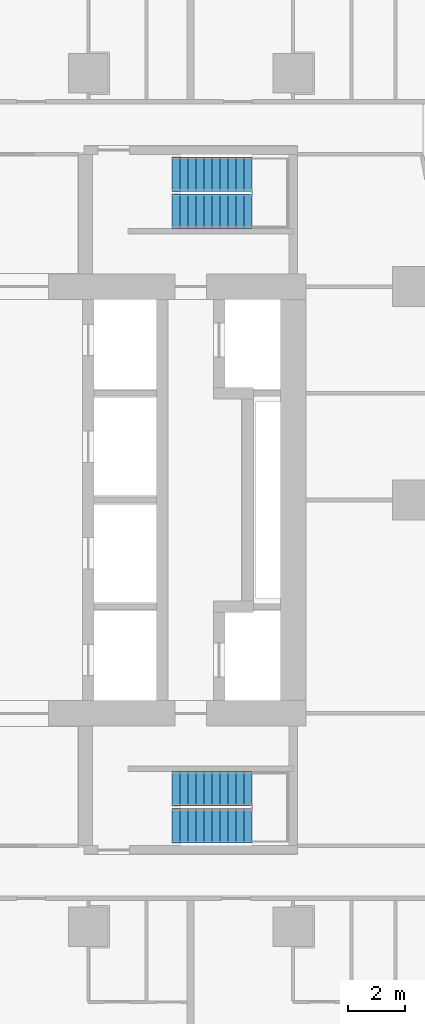
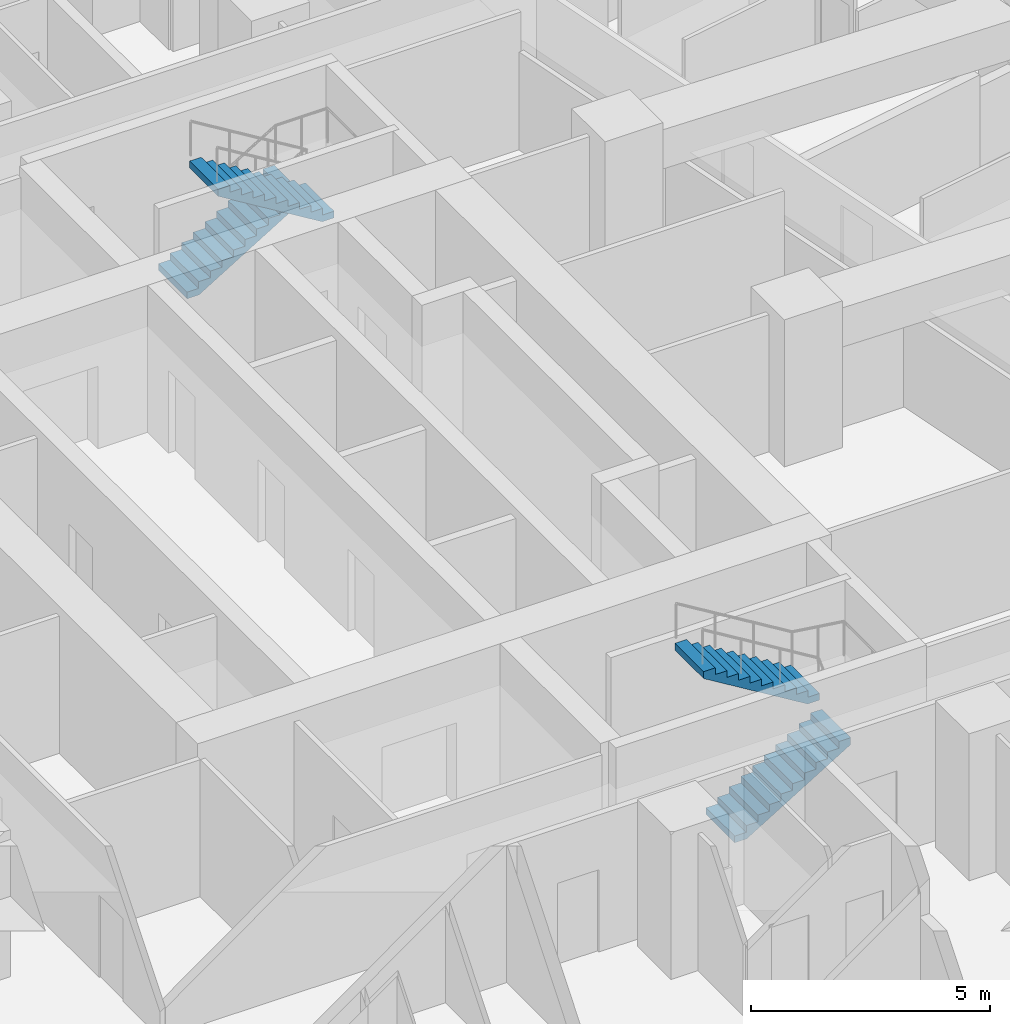
# One storey, part 16 of 17: 4 stair flights, 2 elements without a shape of their own.
"""IFC4 building model written with IfcOpenShell, lengths in metres."""

from ifc_helpers import new_model, si_unit, direction, frame, origin, place, context, subcontext, project, spatial, triangles, material, type_object, element, aggregate, save


model = new_model("IFC4")

# Units and contexts
model_context = context("Model", 3, precision=1e-05, world=origin(), true_north=direction((0.0, 1.0)))
body_context = subcontext(model_context, "Body", "Model", "MODEL_VIEW")
ifc_project = project(units=[si_unit("LENGTHUNIT", "METRE"), si_unit("AREAUNIT", "SQUARE_METRE"), si_unit("VOLUMEUNIT", "CUBIC_METRE"), si_unit("PLANEANGLEUNIT", "RADIAN"), si_unit("MASSUNIT", "GRAM", prefix="KILO")], contexts=[model_context])

# Site, building, storey
site_placement = place(None, origin())
site = spatial("IfcSite", under=ifc_project, at=site_placement, CompositionType="ELEMENT")
building_placement = place(site_placement, origin())
building = spatial("IfcBuilding", under=site, at=building_placement, Name="Sheger Commons Tower", CompositionType="ELEMENT")
storey_placement = place(building_placement, frame((0.0, 0.0, 204.949951171875)))
storey = spatial("IfcBuildingStorey", under=building, at=storey_placement, Name="L52", CompositionType="ELEMENT", Elevation=204.949951171875)

# Stair, stair flights
ifc_material_1 = material(Name="Concrete C35/45", Category="concrete")
stair_type = type_object("IfcStairType", Name="HALF-TURN STAIR 1200 RISE 3750", PredefinedType="HALF_TURN_STAIR", material=ifc_material_1)
stair_1_placement = place(storey_placement, origin())
stair_1 = element("IfcStair", 1, at=stair_1_placement, inside=storey, type_object=stair_type, Name="Stair S1 L52", PredefinedType="HALF_TURN_STAIR")
ifc_material_2 = material(Name="Concrete C35/45", Category="concrete")
stair_flight_type = type_object("IfcStairFlightType", Name="STAIR FLIGHT 1200 11 RISERS OF 170", PredefinedType="STRAIGHT", material=ifc_material_2)
stair_flight_1_placement = place(storey_placement, frame((24.550048828125, 11.050048828125, 0.0), z_axis=(0.0, 0.0, 1.0), x_axis=(1.0, 0.0, 0.0)))
stair_flight_1 = element("IfcStairFlight", 2, at=stair_flight_1_placement, type_object=stair_flight_type, Name="S1 flight 1", NumberOfRisers=11, NumberOfTreads=10, PredefinedType="STRAIGHT", RiserHeight=0.170454545, TreadLength=0.28, context=body_context, shape_type="Tessellation", body=[
    triangles([(0.0, 0.5999755859375, 0.0), (0.0, 0.5999755859375, 0.17041015625), (0.280029296875, 0.5999755859375, 0.17041015625), (0.280029296875, 0.5999755859375, 0.3408203125), (0.56005859375, 0.5999755859375, 0.3408203125), (0.56005859375, 0.5999755859375, 0.511474609375), (0.840087890625, 0.5999755859375, 0.511474609375), (0.840087890625, 0.5999755859375, 0.681884765625), (1.1201171875, 0.5999755859375, 0.681884765625), (1.1201171875, 0.5999755859375, 0.852294921875), (1.39990234375, 0.5999755859375, 0.852294921875), (1.39990234375, 0.5999755859375, 1.022705078125), (1.679931640625, 0.5999755859375, 1.022705078125), (1.679931640625, 0.5999755859375, 1.193115234375), (1.9599609375, 0.5999755859375, 1.193115234375), (1.9599609375, 0.5999755859375, 1.363525390625), (2.239990234375, 0.5999755859375, 1.363525390625), (2.239990234375, 0.5999755859375, 1.5341796875), (2.52001953125, 0.5999755859375, 1.5341796875), (2.52001953125, 0.5999755859375, 1.70458984375), (2.800048828125, 0.5999755859375, 1.70458984375), (2.800048828125, 0.5999755859375, 1.529052734375), (0.288330078125, 0.5999755859375, 0.0), (0.0, -0.5999755859375, 0.0), (0.0, -0.5999755859375, 0.17041015625), (0.280029296875, -0.5999755859375, 0.17041015625), (0.280029296875, -0.5999755859375, 0.3408203125), (0.56005859375, -0.5999755859375, 0.3408203125), (0.56005859375, -0.5999755859375, 0.511474609375), (0.840087890625, -0.5999755859375, 0.511474609375), (0.840087890625, -0.5999755859375, 0.681884765625), (1.1201171875, -0.5999755859375, 0.681884765625), (1.1201171875, -0.5999755859375, 0.852294921875), (1.39990234375, -0.5999755859375, 0.852294921875), (1.39990234375, -0.5999755859375, 1.022705078125), (1.679931640625, -0.5999755859375, 1.022705078125), (1.679931640625, -0.5999755859375, 1.193115234375), (1.9599609375, -0.5999755859375, 1.193115234375), (1.9599609375, -0.5999755859375, 1.363525390625), (2.239990234375, -0.5999755859375, 1.363525390625), (2.239990234375, -0.5999755859375, 1.5341796875), (2.52001953125, -0.5999755859375, 1.5341796875), (2.52001953125, -0.5999755859375, 1.70458984375), (2.800048828125, -0.5999755859375, 1.70458984375), (2.800048828125, -0.5999755859375, 1.529052734375), (0.288330078125, -0.5999755859375, 0.0), (0.0, 0.0, 0.085205078125), (0.1400146484375, 0.0, 0.17041015625), (0.280029296875, 0.0, 0.255615234375), (0.4200439453125, 0.0, 0.3408203125), (0.56005859375, 0.0, 0.4261474609375), (0.7000732421875, 0.0, 0.511474609375), (0.840087890625, 0.0, 0.5966796875), (0.9801025390625, 0.0, 0.681884765625), (1.1201171875, 0.0, 0.76708984375), (1.260009765625, 0.0, 0.852294921875), (1.39990234375, 0.0, 0.9375), (1.5399169921875, 0.0, 1.022705078125), (1.679931640625, 0.0, 1.10791015625), (1.8199462890625, 0.0, 1.193115234375), (1.9599609375, 0.0, 1.2783203125), (2.0999755859375, 0.0, 1.363525390625), (2.239990234375, 0.0, 1.4488525390625), (2.3800048828125, 0.0, 1.5341796875), (2.52001953125, 0.0, 1.619384765625), (2.6600341796875, 0.0, 1.70458984375), (2.800048828125, 0.0, 1.6168212890625), (1.544189453125, 0.0, 0.7645263671875), (0.1441650390625, 0.0, 0.0)], [[1, 22, 23], [24, 46, 45], [22, 20, 21], [45, 44, 43], [22, 19, 20], [45, 43, 42], [22, 18, 19], [45, 42, 41], [22, 17, 18], [45, 41, 40], [17, 15, 16], [40, 39, 38], [22, 15, 17], [45, 40, 38], [15, 13, 14], [38, 37, 36], [22, 13, 15], [45, 38, 36], [13, 11, 12], [36, 35, 34], [22, 11, 13], [45, 36, 34], [11, 9, 10], [34, 33, 32], [22, 9, 11], [45, 34, 32], [9, 7, 8], [32, 31, 30], [22, 7, 9], [45, 32, 30], [7, 5, 6], [30, 29, 28], [22, 5, 7], [45, 30, 28], [5, 3, 4], [28, 27, 26], [22, 3, 5], [45, 28, 26], [1, 3, 22], [24, 45, 26], [3, 1, 2], [26, 25, 24], [1, 47, 2], [2, 47, 25], [25, 47, 24], [24, 47, 1], [2, 48, 3], [3, 48, 26], [26, 48, 25], [25, 48, 2], [3, 49, 4], [4, 49, 27], [27, 49, 26], [26, 49, 3], [4, 50, 5], [5, 50, 28], [28, 50, 27], [27, 50, 4], [5, 51, 6], [6, 51, 29], [29, 51, 28], [28, 51, 5], [6, 52, 7], [7, 52, 30], [30, 52, 29], [29, 52, 6], [7, 53, 8], [8, 53, 31], [31, 53, 30], [30, 53, 7], [8, 54, 9], [9, 54, 32], [32, 54, 31], [31, 54, 8], [9, 55, 10], [10, 55, 33], [33, 55, 32], [32, 55, 9], [10, 56, 11], [11, 56, 34], [34, 56, 33], [33, 56, 10], [11, 57, 12], [12, 57, 35], [35, 57, 34], [34, 57, 11], [12, 58, 13], [13, 58, 36], [36, 58, 35], [35, 58, 12], [13, 59, 14], [14, 59, 37], [37, 59, 36], [36, 59, 13], [14, 60, 15], [15, 60, 38], [38, 60, 37], [37, 60, 14], [15, 61, 16], [16, 61, 39], [39, 61, 38], [38, 61, 15], [16, 62, 17], [17, 62, 40], [40, 62, 39], [39, 62, 16], [17, 63, 18], [18, 63, 41], [41, 63, 40], [40, 63, 17], [18, 64, 19], [19, 64, 42], [42, 64, 41], [41, 64, 18], [19, 65, 20], [20, 65, 43], [43, 65, 42], [42, 65, 19], [20, 66, 21], [21, 66, 44], [44, 66, 43], [43, 66, 20], [21, 67, 22], [22, 67, 45], [45, 67, 44], [44, 67, 21], [22, 68, 23], [23, 68, 46], [46, 68, 45], [45, 68, 22], [23, 69, 1], [1, 69, 24], [24, 69, 46], [46, 69, 23]], closed=True),
])
stair_flight_2_placement = place(storey_placement, frame((27.35009765625, 12.35009765625, 1.875), z_axis=(0.0, 0.0, 1.0), x_axis=(-1.0, 0.0, 0.0)))
stair_flight_2 = element("IfcStairFlight", 3, at=stair_flight_2_placement, type_object=stair_flight_type, Name="S1 flight 2", NumberOfRisers=11, NumberOfTreads=10, PredefinedType="STRAIGHT", RiserHeight=0.170454545, TreadLength=0.28, context=body_context, shape_type="Tessellation", body=[
    triangles([(0.0, 0.5999755859375, 0.0), (0.0, 0.5999755859375, 0.17041015625), (0.280029296875, 0.5999755859375, 0.17041015625), (0.280029296875, 0.5999755859375, 0.3408203125), (0.56005859375, 0.5999755859375, 0.3408203125), (0.56005859375, 0.5999755859375, 0.511474609375), (0.840087890625, 0.5999755859375, 0.511474609375), (0.840087890625, 0.5999755859375, 0.681884765625), (1.1201171875, 0.5999755859375, 0.681884765625), (1.1201171875, 0.5999755859375, 0.852294921875), (1.39990234375, 0.5999755859375, 0.852294921875), (1.39990234375, 0.5999755859375, 1.022705078125), (1.679931640625, 0.5999755859375, 1.022705078125), (1.679931640625, 0.5999755859375, 1.193115234375), (1.9599609375, 0.5999755859375, 1.193115234375), (1.9599609375, 0.5999755859375, 1.363525390625), (2.239990234375, 0.5999755859375, 1.363525390625), (2.239990234375, 0.5999755859375, 1.5341796875), (2.52001953125, 0.5999755859375, 1.5341796875), (2.52001953125, 0.5999755859375, 1.70458984375), (2.800048828125, 0.5999755859375, 1.70458984375), (2.800048828125, 0.5999755859375, 1.529052734375), (0.288330078125, 0.5999755859375, 0.0), (0.0, -0.5999755859375, 0.0), (0.0, -0.5999755859375, 0.17041015625), (0.280029296875, -0.5999755859375, 0.17041015625), (0.280029296875, -0.5999755859375, 0.3408203125), (0.56005859375, -0.5999755859375, 0.3408203125), (0.56005859375, -0.5999755859375, 0.511474609375), (0.840087890625, -0.5999755859375, 0.511474609375), (0.840087890625, -0.5999755859375, 0.681884765625), (1.1201171875, -0.5999755859375, 0.681884765625), (1.1201171875, -0.5999755859375, 0.852294921875), (1.39990234375, -0.5999755859375, 0.852294921875), (1.39990234375, -0.5999755859375, 1.022705078125), (1.679931640625, -0.5999755859375, 1.022705078125), (1.679931640625, -0.5999755859375, 1.193115234375), (1.9599609375, -0.5999755859375, 1.193115234375), (1.9599609375, -0.5999755859375, 1.363525390625), (2.239990234375, -0.5999755859375, 1.363525390625), (2.239990234375, -0.5999755859375, 1.5341796875), (2.52001953125, -0.5999755859375, 1.5341796875), (2.52001953125, -0.5999755859375, 1.70458984375), (2.800048828125, -0.5999755859375, 1.70458984375), (2.800048828125, -0.5999755859375, 1.529052734375), (0.288330078125, -0.5999755859375, 0.0), (0.0, 0.0, 0.085205078125), (0.1400146484375, 0.0, 0.17041015625), (0.280029296875, 0.0, 0.255615234375), (0.4200439453125, 0.0, 0.3408203125), (0.56005859375, 0.0, 0.4261474609375), (0.7000732421875, 0.0, 0.511474609375), (0.840087890625, 0.0, 0.5966796875), (0.9801025390625, 0.0, 0.681884765625), (1.1201171875, 0.0, 0.76708984375), (1.260009765625, 0.0, 0.852294921875), (1.39990234375, 0.0, 0.9375), (1.5399169921875, 0.0, 1.022705078125), (1.679931640625, 0.0, 1.10791015625), (1.8199462890625, 0.0, 1.193115234375), (1.9599609375, 0.0, 1.2783203125), (2.0999755859375, 0.0, 1.363525390625), (2.239990234375, 0.0, 1.4488525390625), (2.3800048828125, 0.0, 1.5341796875), (2.52001953125, 0.0, 1.619384765625), (2.6600341796875, 0.0, 1.70458984375), (2.800048828125, 0.0, 1.6168212890625), (1.544189453125, 0.0, 0.7645263671875), (0.1441650390625, 0.0, 0.0)], [[1, 22, 23], [24, 46, 45], [22, 20, 21], [45, 44, 43], [22, 19, 20], [45, 43, 42], [22, 18, 19], [45, 42, 41], [22, 17, 18], [45, 41, 40], [17, 15, 16], [40, 39, 38], [22, 15, 17], [45, 40, 38], [15, 13, 14], [38, 37, 36], [22, 13, 15], [45, 38, 36], [13, 11, 12], [36, 35, 34], [22, 11, 13], [45, 36, 34], [11, 9, 10], [34, 33, 32], [22, 9, 11], [45, 34, 32], [9, 7, 8], [32, 31, 30], [22, 7, 9], [45, 32, 30], [7, 5, 6], [30, 29, 28], [22, 5, 7], [45, 30, 28], [5, 3, 4], [28, 27, 26], [22, 3, 5], [45, 28, 26], [1, 3, 22], [24, 45, 26], [3, 1, 2], [26, 25, 24], [1, 47, 2], [2, 47, 25], [25, 47, 24], [24, 47, 1], [2, 48, 3], [3, 48, 26], [26, 48, 25], [25, 48, 2], [3, 49, 4], [4, 49, 27], [27, 49, 26], [26, 49, 3], [4, 50, 5], [5, 50, 28], [28, 50, 27], [27, 50, 4], [5, 51, 6], [6, 51, 29], [29, 51, 28], [28, 51, 5], [6, 52, 7], [7, 52, 30], [30, 52, 29], [29, 52, 6], [7, 53, 8], [8, 53, 31], [31, 53, 30], [30, 53, 7], [8, 54, 9], [9, 54, 32], [32, 54, 31], [31, 54, 8], [9, 55, 10], [10, 55, 33], [33, 55, 32], [32, 55, 9], [10, 56, 11], [11, 56, 34], [34, 56, 33], [33, 56, 10], [11, 57, 12], [12, 57, 35], [35, 57, 34], [34, 57, 11], [12, 58, 13], [13, 58, 36], [36, 58, 35], [35, 58, 12], [13, 59, 14], [14, 59, 37], [37, 59, 36], [36, 59, 13], [14, 60, 15], [15, 60, 38], [38, 60, 37], [37, 60, 14], [15, 61, 16], [16, 61, 39], [39, 61, 38], [38, 61, 15], [16, 62, 17], [17, 62, 40], [40, 62, 39], [39, 62, 16], [17, 63, 18], [18, 63, 41], [41, 63, 40], [40, 63, 17], [18, 64, 19], [19, 64, 42], [42, 64, 41], [41, 64, 18], [19, 65, 20], [20, 65, 43], [43, 65, 42], [42, 65, 19], [20, 66, 21], [21, 66, 44], [44, 66, 43], [43, 66, 20], [21, 67, 22], [22, 67, 45], [45, 67, 44], [44, 67, 21], [22, 68, 23], [23, 68, 46], [46, 68, 45], [45, 68, 22], [23, 69, 1], [1, 69, 24], [24, 69, 46], [46, 69, 23]], closed=True),
])
aggregate(stair_1, [stair_flight_1, stair_flight_2])

stair_2_placement = place(storey_placement, origin())
stair_2 = element("IfcStair", 4, at=stair_2_placement, inside=storey, type_object=stair_type, Name="Stair S2 L52", PredefinedType="HALF_TURN_STAIR")
stair_flight_3_placement = place(storey_placement, frame((24.550048828125, 33.949951171875, 0.0), z_axis=(0.0, 0.0, 1.0), x_axis=(1.0, 0.0, 0.0)))
stair_flight_3 = element("IfcStairFlight", 5, at=stair_flight_3_placement, type_object=stair_flight_type, Name="S2 flight 1", NumberOfRisers=11, NumberOfTreads=10, PredefinedType="STRAIGHT", RiserHeight=0.170454545, TreadLength=0.28, context=body_context, shape_type="Tessellation", body=[
    triangles([(0.0, 0.5999755859375, 0.0), (0.0, 0.5999755859375, 0.17041015625), (0.280029296875, 0.5999755859375, 0.17041015625), (0.280029296875, 0.5999755859375, 0.3408203125), (0.56005859375, 0.5999755859375, 0.3408203125), (0.56005859375, 0.5999755859375, 0.511474609375), (0.840087890625, 0.5999755859375, 0.511474609375), (0.840087890625, 0.5999755859375, 0.681884765625), (1.1201171875, 0.5999755859375, 0.681884765625), (1.1201171875, 0.5999755859375, 0.852294921875), (1.39990234375, 0.5999755859375, 0.852294921875), (1.39990234375, 0.5999755859375, 1.022705078125), (1.679931640625, 0.5999755859375, 1.022705078125), (1.679931640625, 0.5999755859375, 1.193115234375), (1.9599609375, 0.5999755859375, 1.193115234375), (1.9599609375, 0.5999755859375, 1.363525390625), (2.239990234375, 0.5999755859375, 1.363525390625), (2.239990234375, 0.5999755859375, 1.5341796875), (2.52001953125, 0.5999755859375, 1.5341796875), (2.52001953125, 0.5999755859375, 1.70458984375), (2.800048828125, 0.5999755859375, 1.70458984375), (2.800048828125, 0.5999755859375, 1.529052734375), (0.288330078125, 0.5999755859375, 0.0), (0.0, -0.5999755859375, 0.0), (0.0, -0.5999755859375, 0.17041015625), (0.280029296875, -0.5999755859375, 0.17041015625), (0.280029296875, -0.5999755859375, 0.3408203125), (0.56005859375, -0.5999755859375, 0.3408203125), (0.56005859375, -0.5999755859375, 0.511474609375), (0.840087890625, -0.5999755859375, 0.511474609375), (0.840087890625, -0.5999755859375, 0.681884765625), (1.1201171875, -0.5999755859375, 0.681884765625), (1.1201171875, -0.5999755859375, 0.852294921875), (1.39990234375, -0.5999755859375, 0.852294921875), (1.39990234375, -0.5999755859375, 1.022705078125), (1.679931640625, -0.5999755859375, 1.022705078125), (1.679931640625, -0.5999755859375, 1.193115234375), (1.9599609375, -0.5999755859375, 1.193115234375), (1.9599609375, -0.5999755859375, 1.363525390625), (2.239990234375, -0.5999755859375, 1.363525390625), (2.239990234375, -0.5999755859375, 1.5341796875), (2.52001953125, -0.5999755859375, 1.5341796875), (2.52001953125, -0.5999755859375, 1.70458984375), (2.800048828125, -0.5999755859375, 1.70458984375), (2.800048828125, -0.5999755859375, 1.529052734375), (0.288330078125, -0.5999755859375, 0.0), (0.0, 0.0, 0.085205078125), (0.1400146484375, 0.0, 0.17041015625), (0.280029296875, 0.0, 0.255615234375), (0.4200439453125, 0.0, 0.3408203125), (0.56005859375, 0.0, 0.4261474609375), (0.7000732421875, 0.0, 0.511474609375), (0.840087890625, 0.0, 0.5966796875), (0.9801025390625, 0.0, 0.681884765625), (1.1201171875, 0.0, 0.76708984375), (1.260009765625, 0.0, 0.852294921875), (1.39990234375, 0.0, 0.9375), (1.5399169921875, 0.0, 1.022705078125), (1.679931640625, 0.0, 1.10791015625), (1.8199462890625, 0.0, 1.193115234375), (1.9599609375, 0.0, 1.2783203125), (2.0999755859375, 0.0, 1.363525390625), (2.239990234375, 0.0, 1.4488525390625), (2.3800048828125, 0.0, 1.5341796875), (2.52001953125, 0.0, 1.619384765625), (2.6600341796875, 0.0, 1.70458984375), (2.800048828125, 0.0, 1.6168212890625), (1.544189453125, 0.0, 0.7645263671875), (0.1441650390625, 0.0, 0.0)], [[1, 22, 23], [24, 46, 45], [22, 20, 21], [45, 44, 43], [22, 19, 20], [45, 43, 42], [22, 18, 19], [45, 42, 41], [22, 17, 18], [45, 41, 40], [17, 15, 16], [40, 39, 38], [22, 15, 17], [45, 40, 38], [15, 13, 14], [38, 37, 36], [22, 13, 15], [45, 38, 36], [13, 11, 12], [36, 35, 34], [22, 11, 13], [45, 36, 34], [11, 9, 10], [34, 33, 32], [22, 9, 11], [45, 34, 32], [9, 7, 8], [32, 31, 30], [22, 7, 9], [45, 32, 30], [7, 5, 6], [30, 29, 28], [22, 5, 7], [45, 30, 28], [5, 3, 4], [28, 27, 26], [22, 3, 5], [45, 28, 26], [1, 3, 22], [24, 45, 26], [3, 1, 2], [26, 25, 24], [1, 47, 2], [2, 47, 25], [25, 47, 24], [24, 47, 1], [2, 48, 3], [3, 48, 26], [26, 48, 25], [25, 48, 2], [3, 49, 4], [4, 49, 27], [27, 49, 26], [26, 49, 3], [4, 50, 5], [5, 50, 28], [28, 50, 27], [27, 50, 4], [5, 51, 6], [6, 51, 29], [29, 51, 28], [28, 51, 5], [6, 52, 7], [7, 52, 30], [30, 52, 29], [29, 52, 6], [7, 53, 8], [8, 53, 31], [31, 53, 30], [30, 53, 7], [8, 54, 9], [9, 54, 32], [32, 54, 31], [31, 54, 8], [9, 55, 10], [10, 55, 33], [33, 55, 32], [32, 55, 9], [10, 56, 11], [11, 56, 34], [34, 56, 33], [33, 56, 10], [11, 57, 12], [12, 57, 35], [35, 57, 34], [34, 57, 11], [12, 58, 13], [13, 58, 36], [36, 58, 35], [35, 58, 12], [13, 59, 14], [14, 59, 37], [37, 59, 36], [36, 59, 13], [14, 60, 15], [15, 60, 38], [38, 60, 37], [37, 60, 14], [15, 61, 16], [16, 61, 39], [39, 61, 38], [38, 61, 15], [16, 62, 17], [17, 62, 40], [40, 62, 39], [39, 62, 16], [17, 63, 18], [18, 63, 41], [41, 63, 40], [40, 63, 17], [18, 64, 19], [19, 64, 42], [42, 64, 41], [41, 64, 18], [19, 65, 20], [20, 65, 43], [43, 65, 42], [42, 65, 19], [20, 66, 21], [21, 66, 44], [44, 66, 43], [43, 66, 20], [21, 67, 22], [22, 67, 45], [45, 67, 44], [44, 67, 21], [22, 68, 23], [23, 68, 46], [46, 68, 45], [45, 68, 22], [23, 69, 1], [1, 69, 24], [24, 69, 46], [46, 69, 23]], closed=True),
])
stair_flight_4_placement = place(storey_placement, frame((27.35009765625, 32.64990234375, 1.875), z_axis=(0.0, 0.0, 1.0), x_axis=(-1.0, 0.0, 0.0)))
stair_flight_4 = element("IfcStairFlight", 6, at=stair_flight_4_placement, type_object=stair_flight_type, Name="S2 flight 2", NumberOfRisers=11, NumberOfTreads=10, PredefinedType="STRAIGHT", RiserHeight=0.170454545, TreadLength=0.28, context=body_context, shape_type="Tessellation", body=[
    triangles([(0.0, 0.5999755859375, 0.0), (0.0, 0.5999755859375, 0.17041015625), (0.280029296875, 0.5999755859375, 0.17041015625), (0.280029296875, 0.5999755859375, 0.3408203125), (0.56005859375, 0.5999755859375, 0.3408203125), (0.56005859375, 0.5999755859375, 0.511474609375), (0.840087890625, 0.5999755859375, 0.511474609375), (0.840087890625, 0.5999755859375, 0.681884765625), (1.1201171875, 0.5999755859375, 0.681884765625), (1.1201171875, 0.5999755859375, 0.852294921875), (1.39990234375, 0.5999755859375, 0.852294921875), (1.39990234375, 0.5999755859375, 1.022705078125), (1.679931640625, 0.5999755859375, 1.022705078125), (1.679931640625, 0.5999755859375, 1.193115234375), (1.9599609375, 0.5999755859375, 1.193115234375), (1.9599609375, 0.5999755859375, 1.363525390625), (2.239990234375, 0.5999755859375, 1.363525390625), (2.239990234375, 0.5999755859375, 1.5341796875), (2.52001953125, 0.5999755859375, 1.5341796875), (2.52001953125, 0.5999755859375, 1.70458984375), (2.800048828125, 0.5999755859375, 1.70458984375), (2.800048828125, 0.5999755859375, 1.529052734375), (0.288330078125, 0.5999755859375, 0.0), (0.0, -0.5999755859375, 0.0), (0.0, -0.5999755859375, 0.17041015625), (0.280029296875, -0.5999755859375, 0.17041015625), (0.280029296875, -0.5999755859375, 0.3408203125), (0.56005859375, -0.5999755859375, 0.3408203125), (0.56005859375, -0.5999755859375, 0.511474609375), (0.840087890625, -0.5999755859375, 0.511474609375), (0.840087890625, -0.5999755859375, 0.681884765625), (1.1201171875, -0.5999755859375, 0.681884765625), (1.1201171875, -0.5999755859375, 0.852294921875), (1.39990234375, -0.5999755859375, 0.852294921875), (1.39990234375, -0.5999755859375, 1.022705078125), (1.679931640625, -0.5999755859375, 1.022705078125), (1.679931640625, -0.5999755859375, 1.193115234375), (1.9599609375, -0.5999755859375, 1.193115234375), (1.9599609375, -0.5999755859375, 1.363525390625), (2.239990234375, -0.5999755859375, 1.363525390625), (2.239990234375, -0.5999755859375, 1.5341796875), (2.52001953125, -0.5999755859375, 1.5341796875), (2.52001953125, -0.5999755859375, 1.70458984375), (2.800048828125, -0.5999755859375, 1.70458984375), (2.800048828125, -0.5999755859375, 1.529052734375), (0.288330078125, -0.5999755859375, 0.0), (0.0, 0.0, 0.085205078125), (0.1400146484375, 0.0, 0.17041015625), (0.280029296875, 0.0, 0.255615234375), (0.4200439453125, 0.0, 0.3408203125), (0.56005859375, 0.0, 0.4261474609375), (0.7000732421875, 0.0, 0.511474609375), (0.840087890625, 0.0, 0.5966796875), (0.9801025390625, 0.0, 0.681884765625), (1.1201171875, 0.0, 0.76708984375), (1.260009765625, 0.0, 0.852294921875), (1.39990234375, 0.0, 0.9375), (1.5399169921875, 0.0, 1.022705078125), (1.679931640625, 0.0, 1.10791015625), (1.8199462890625, 0.0, 1.193115234375), (1.9599609375, 0.0, 1.2783203125), (2.0999755859375, 0.0, 1.363525390625), (2.239990234375, 0.0, 1.4488525390625), (2.3800048828125, 0.0, 1.5341796875), (2.52001953125, 0.0, 1.619384765625), (2.6600341796875, 0.0, 1.70458984375), (2.800048828125, 0.0, 1.6168212890625), (1.544189453125, 0.0, 0.7645263671875), (0.1441650390625, 0.0, 0.0)], [[1, 22, 23], [24, 46, 45], [22, 20, 21], [45, 44, 43], [22, 19, 20], [45, 43, 42], [22, 18, 19], [45, 42, 41], [22, 17, 18], [45, 41, 40], [17, 15, 16], [40, 39, 38], [22, 15, 17], [45, 40, 38], [15, 13, 14], [38, 37, 36], [22, 13, 15], [45, 38, 36], [13, 11, 12], [36, 35, 34], [22, 11, 13], [45, 36, 34], [11, 9, 10], [34, 33, 32], [22, 9, 11], [45, 34, 32], [9, 7, 8], [32, 31, 30], [22, 7, 9], [45, 32, 30], [7, 5, 6], [30, 29, 28], [22, 5, 7], [45, 30, 28], [5, 3, 4], [28, 27, 26], [22, 3, 5], [45, 28, 26], [1, 3, 22], [24, 45, 26], [3, 1, 2], [26, 25, 24], [1, 47, 2], [2, 47, 25], [25, 47, 24], [24, 47, 1], [2, 48, 3], [3, 48, 26], [26, 48, 25], [25, 48, 2], [3, 49, 4], [4, 49, 27], [27, 49, 26], [26, 49, 3], [4, 50, 5], [5, 50, 28], [28, 50, 27], [27, 50, 4], [5, 51, 6], [6, 51, 29], [29, 51, 28], [28, 51, 5], [6, 52, 7], [7, 52, 30], [30, 52, 29], [29, 52, 6], [7, 53, 8], [8, 53, 31], [31, 53, 30], [30, 53, 7], [8, 54, 9], [9, 54, 32], [32, 54, 31], [31, 54, 8], [9, 55, 10], [10, 55, 33], [33, 55, 32], [32, 55, 9], [10, 56, 11], [11, 56, 34], [34, 56, 33], [33, 56, 10], [11, 57, 12], [12, 57, 35], [35, 57, 34], [34, 57, 11], [12, 58, 13], [13, 58, 36], [36, 58, 35], [35, 58, 12], [13, 59, 14], [14, 59, 37], [37, 59, 36], [36, 59, 13], [14, 60, 15], [15, 60, 38], [38, 60, 37], [37, 60, 14], [15, 61, 16], [16, 61, 39], [39, 61, 38], [38, 61, 15], [16, 62, 17], [17, 62, 40], [40, 62, 39], [39, 62, 16], [17, 63, 18], [18, 63, 41], [41, 63, 40], [40, 63, 17], [18, 64, 19], [19, 64, 42], [42, 64, 41], [41, 64, 18], [19, 65, 20], [20, 65, 43], [43, 65, 42], [42, 65, 19], [20, 66, 21], [21, 66, 44], [44, 66, 43], [43, 66, 20], [21, 67, 22], [22, 67, 45], [45, 67, 44], [44, 67, 21], [22, 68, 23], [23, 68, 46], [46, 68, 45], [45, 68, 22], [23, 69, 1], [1, 69, 24], [24, 69, 46], [46, 69, 23]], closed=True),
])
aggregate(stair_2, [stair_flight_3, stair_flight_4])

save(model, "model.ifc")
